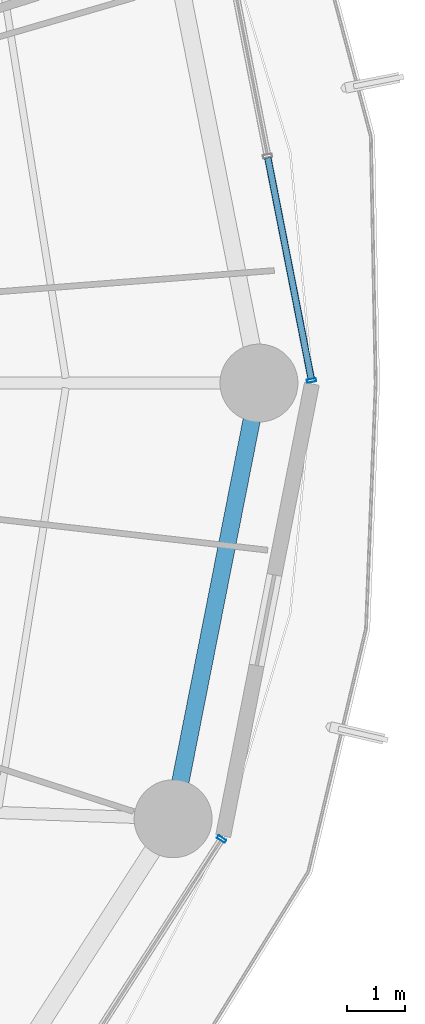
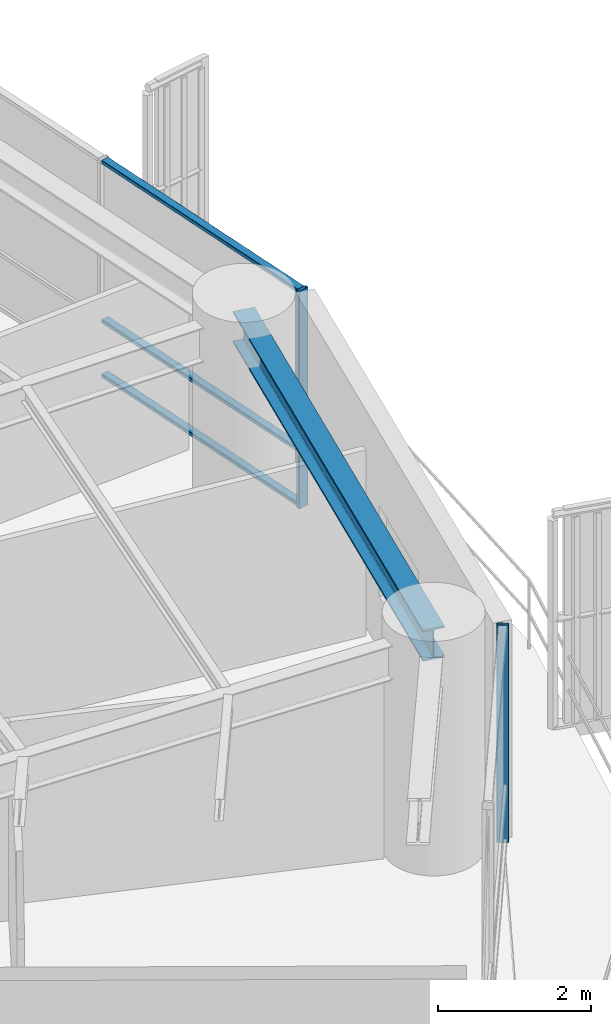
# One storey, part 16 of 37: 5 members, 1 beam, 2 elements without a shape of their own.
"""IFC4 building model written with IfcOpenShell, lengths in metres."""

from ifc_helpers import new_model, si_unit, direction, frame, origin, origin_2d, place, context, subcontext, project, spatial, hollow_rectangle, i_section, extrude, material, layer, layer_set, material_profile, profile_set, type_object, element, aggregate, save


model = new_model("IFC4")

# Units and contexts
model_context = context("Model", 3, precision=1e-05, world=origin(), true_north=direction((0.0, 1.0)))
body_context = subcontext(model_context, "Body", "Model", "MODEL_VIEW")
ifc_project = project(units=[si_unit("LENGTHUNIT", "METRE"), si_unit("AREAUNIT", "SQUARE_METRE"), si_unit("VOLUMEUNIT", "CUBIC_METRE"), si_unit("PLANEANGLEUNIT", "RADIAN"), si_unit("MASSUNIT", "GRAM", prefix="KILO")], contexts=[model_context])

# Site, building, storey
site_placement = place(None, origin())
site = spatial("IfcSite", under=ifc_project, at=site_placement, CompositionType="ELEMENT")
building_placement = place(site_placement, origin())
building = spatial("IfcBuilding", under=site, at=building_placement, Name="Kelanora Arch Commons", CompositionType="ELEMENT")
storey_placement = place(building_placement, frame((0.0, 0.0, 113.85009765625)))
storey = spatial("IfcBuildingStorey", under=building, at=storey_placement, Name="L29", CompositionType="ELEMENT", Elevation=113.85009765625)

# Beam
ifc_material_1 = material(Name="Steel S355", Category="steel")
ifc_material_profile_1 = material_profile(ifc_material_1, i_section(OverallWidth=0.300048828125, OverallDepth=0.5, WebThickness=0.014404296875, FlangeThickness=0.028076171875, FilletRadius=0.027099609375, at=origin_2d()), Name="HEB500")
ifc_profile_set_1 = profile_set([ifc_material_profile_1], Name="Steel S355")
beam_type = type_object("IfcBeamType", Name="BM-SPN-Z2", PredefinedType="SPANDREL", material=ifc_profile_set_1)
beam_placement = place(storey_placement, frame((97.191650390625, 50.4482421875, 3.239990234375), z_axis=(0.19335825777, 0.981128220037, 0.0), x_axis=(-0.981128220037, 0.19335825777, 0.0)))
element("IfcBeam", 1, at=beam_placement, inside=storey, type_object=beam_type, Name="Perimeter Spandrel Beam BS-34 L29", PredefinedType="SPANDREL", context=body_context, shape_type="SweptSolid", body=[
    extrude(i_section(OverallWidth=0.300048828125, OverallDepth=0.5, WebThickness=0.014404296875, FlangeThickness=0.028076171875, FilletRadius=0.027099609375, at=origin_2d()), origin(), (0.0, 0.0, 1.0), 7.697021484375),
])

# Curtain wall, member
ifc_material_2 = material(Name="Terracotta ceramic-fritted low-E glass and aluminium", Category="masonry")
ifc_layer = layer(ifc_material_2, 0.159912109375)
ifc_layer_set = layer_set([ifc_layer], Name="Terracotta ceramic-fritted low-E glass and aluminium")
curtain_wall_type = type_object("IfcCurtainWallType", Name="CW-SYS-01", PredefinedType="NOTDEFINED", material=ifc_layer_set)
curtain_wall_1_placement = place(storey_placement, origin())
curtain_wall_1 = element("IfcCurtainWall", 2, at=curtain_wall_1_placement, inside=storey, type_object=curtain_wall_type, Name="Unitised Curtain Wall L29-B00", PredefinedType="NOTDEFINED")
ifc_material_3 = material(Name="Powder-coated aluminium terracotta", Category="masonry")
ifc_material_profile_2 = material_profile(ifc_material_3, hollow_rectangle(XDim=0.159912109375, YDim=0.06005859375, WallThickness=0.0048828125, InnerFilletRadius=0.0048828125, OuterFilletRadius=0.010009765625, at=origin_2d()), Name="CWM160x60")
ifc_profile_set_2 = profile_set([ifc_material_profile_2], Name="Powder-coated aluminium terracotta")
member_type_1 = type_object("IfcMemberType", Name="CWM-STD", PredefinedType="MULLION", material=ifc_profile_set_2)
member_1_placement = place(storey_placement, frame((99.59130859375, 58.044189453125, 0.0), z_axis=(0.0, 0.0, 1.0), x_axis=(-0.981280311646, -0.192584916272, 0.0)))
member_1 = element("IfcMember", 3, at=member_1_placement, type_object=member_type_1, Name="CW-01 mullion 1", PredefinedType="MULLION", context=body_context, shape_type="SweptSolid", body=[
    extrude(hollow_rectangle(XDim=0.159912109375, YDim=0.06005859375, WallThickness=0.0048828125, InnerFilletRadius=0.0048828125, OuterFilletRadius=0.010009765625, at=origin_2d()), origin(), (0.0, 0.0, 1.0), 3.474853515625),
])

curtain_wall_2_placement = place(storey_placement, origin())
curtain_wall_2 = element("IfcCurtainWall", 4, at=curtain_wall_2_placement, inside=storey, type_object=curtain_wall_type, Name="Unitised Curtain Wall L29-B16", PredefinedType="NOTDEFINED")
member_2_placement = place(storey_placement, frame((98.03173828125, 50.095703125, 0.0), z_axis=(0.0, 0.0, 1.0), x_axis=(-0.841268883088, 0.540616931244, 0.0)))
member_2 = element("IfcMember", 5, at=member_2_placement, type_object=member_type_1, Name="CW-01 mullion 3", PredefinedType="MULLION", context=body_context, shape_type="SweptSolid", body=[
    extrude(hollow_rectangle(XDim=0.159912109375, YDim=0.06005859375, WallThickness=0.0048828125, InnerFilletRadius=0.0048828125, OuterFilletRadius=0.010009765625, at=origin_2d()), origin(), (0.0, 0.0, 1.0), 3.474853515625),
])
aggregate(curtain_wall_2, [member_2])

# Member
ifc_material_profile_3 = material_profile(ifc_material_3, hollow_rectangle(XDim=0.1201171875, YDim=0.06005859375, WallThickness=0.0048828125, InnerFilletRadius=0.0048828125, OuterFilletRadius=0.010009765625, at=origin_2d()), Name="CWT120x60")
ifc_profile_set_3 = profile_set([ifc_material_profile_3], Name="Powder-coated aluminium terracotta")
member_type_2 = type_object("IfcMemberType", Name="CWT-STD", PredefinedType="USERDEFINED", material=ifc_profile_set_3)
member_3_placement = place(storey_placement, frame((99.58544921875, 58.073486328125, 0.02978515625), z_axis=(-0.192578614785, 0.981281548348, 0.0), x_axis=(-0.981281548348, -0.192578614785, 0.0)))
member_3 = element("IfcMember", 6, at=member_3_placement, type_object=member_type_2, Name="CW-01 transom 1.1", ObjectType="TRANSOM", PredefinedType="USERDEFINED", context=body_context, shape_type="SweptSolid", body=[
    extrude(hollow_rectangle(XDim=0.1201171875, YDim=0.06005859375, WallThickness=0.0048828125, InnerFilletRadius=0.0048828125, OuterFilletRadius=0.010009765625, at=origin_2d()), origin(), (0.0, 0.0, 1.0), 3.9033203125),
])

member_4_placement = place(storey_placement, frame((99.58544921875, 58.073486328125, 0.89990234375), z_axis=(-0.192578614785, 0.981281548348, 0.0), x_axis=(-0.981281548348, -0.192578614785, 0.0)))
member_4 = element("IfcMember", 7, at=member_4_placement, type_object=member_type_2, Name="CW-01 transom 1.2", ObjectType="TRANSOM", PredefinedType="USERDEFINED", context=body_context, shape_type="SweptSolid", body=[
    extrude(hollow_rectangle(XDim=0.1201171875, YDim=0.06005859375, WallThickness=0.0048828125, InnerFilletRadius=0.0048828125, OuterFilletRadius=0.010009765625, at=origin_2d()), origin(), (0.0, 0.0, 1.0), 3.9033203125),
])

member_5_placement = place(storey_placement, frame((99.58544921875, 58.073486328125, 3.44482421875), z_axis=(-0.192578614785, 0.981281548348, 0.0), x_axis=(-0.981281548348, -0.192578614785, 0.0)))
member_5 = element("IfcMember", 8, at=member_5_placement, type_object=member_type_2, Name="CW-01 transom 1.3", ObjectType="TRANSOM", PredefinedType="USERDEFINED", context=body_context, shape_type="SweptSolid", body=[
    extrude(hollow_rectangle(XDim=0.1201171875, YDim=0.06005859375, WallThickness=0.0048828125, InnerFilletRadius=0.0048828125, OuterFilletRadius=0.010009765625, at=origin_2d()), origin(), (0.0, 0.0, 1.0), 3.9033203125),
])

aggregate(curtain_wall_1, [member_1, member_3, member_4, member_5])

save(model, "model.ifc")
